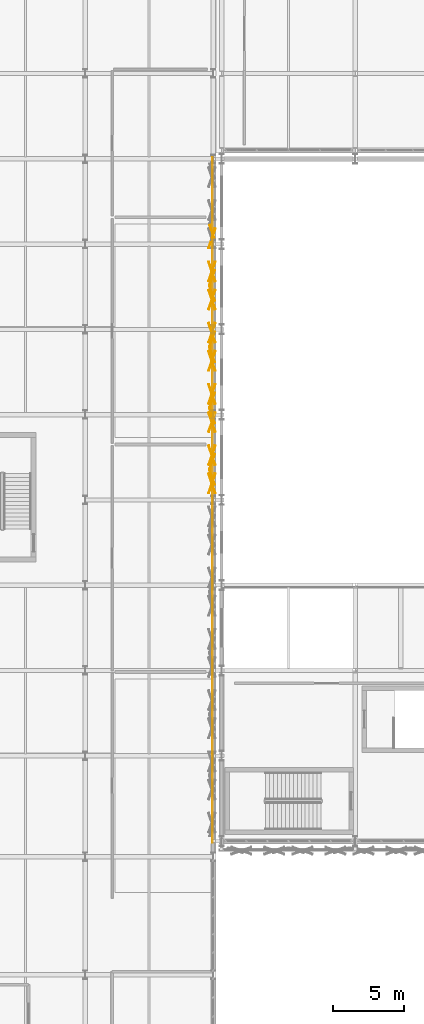
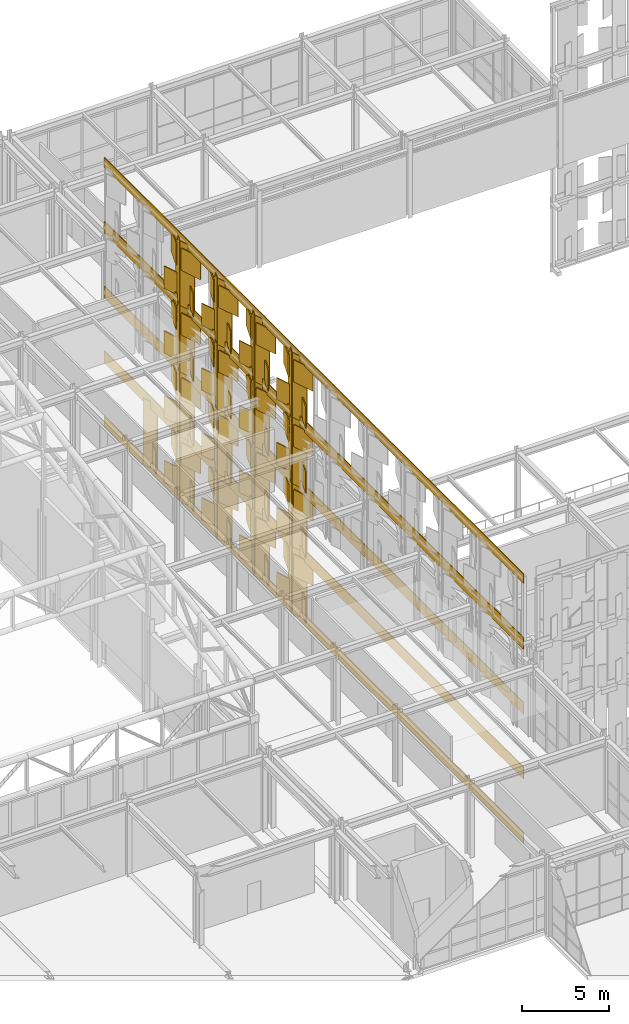
# One storey, part 236 of 239: 103 coverings.
"""IFC4 building model written with IfcOpenShell, lengths in metres."""

import ifcopenshell
import ifcopenshell.guid

model = None  # the IFC model being written
_history = None  # IfcOwnerHistory: only IFC2X3 demands one
_inside = {}  # id of a spatial element -> (the spatial element, [elements in it])
_under = {}  # id of a project, library or spatial element -> (it, [spatial elements below it])
_declared = {}  # id of a project -> (the project, [libraries it declares])
_typed = {}  # id of a type object -> (the type object, [elements of that type])
_made_of = {}  # id of a material, layer set ... -> (it, [elements and type objects made of it])


def new_model(schema):
    """Start an empty IFC model of exactly this schema.

    Asked for "IFC4X3", IfcOpenShell would pick the latest addendum, in which some entities
    have other attributes; the version numbers below select the first issue.
    IFC2X3 requires an IfcOwnerHistory on every rooted entity: one is made here for all.
    """
    global model, _history
    if schema == "IFC4X3":
        model = ifcopenshell.file(schema_version=(4, 3, 0, 0))
    else:
        model = ifcopenshell.file(schema=schema)
    _inside.clear()
    _under.clear()
    _declared.clear()
    _typed.clear()
    _made_of.clear()
    _history = None
    if model.schema == "IFC2X3":
        org = make("IfcOrganization", Name="unknown")
        user = make(
            "IfcPersonAndOrganization",
            ThePerson=make("IfcPerson", FamilyName="unknown"),
            TheOrganization=org,
        )
        app = make(
            "IfcApplication",
            ApplicationDeveloper=org,
            Version="unknown",
            ApplicationFullName="unknown",
            ApplicationIdentifier="unknown",
        )
        _history = make(
            "IfcOwnerHistory",
            OwningUser=user,
            OwningApplication=app,
            ChangeAction="ADDED",
            CreationDate=0,
        )
    return model


def make(cls, **values):
    """One entity of the class cls with the attributes given. An attribute that is None is left unset."""
    return model.create_entity(
        cls, **{name: value for name, value in values.items() if value is not None}
    )


def rooted(cls, **values):
    """An entity with a GlobalId (a new one), such as an element, a storey or a relation."""
    return make(cls, GlobalId=ifcopenshell.guid.new(), OwnerHistory=_history, **values)


def si_unit(unit_type, name, prefix=None):
    """IfcSIUnit, for example si_unit("LENGTHUNIT", "METRE", prefix="MILLI")."""
    return make("IfcSIUnit", UnitType=unit_type, Prefix=prefix, Name=name)


def assignment(units):
    """IfcUnitAssignment: the units of a project."""
    return None if units is None else make("IfcUnitAssignment", Units=units)


def point(xyz):
    """IfcCartesianPoint."""
    return None if xyz is None else make("IfcCartesianPoint", Coordinates=xyz)


def direction(xyz):
    """IfcDirection."""
    return None if xyz is None else make("IfcDirection", DirectionRatios=xyz)


def frame(location, z_axis=None, x_axis=None):
    """IfcAxis2Placement3D, a coordinate frame: its origin and axes. An axis left out is left unset."""
    return make(
        "IfcAxis2Placement3D",
        Location=point(location),
        Axis=direction(z_axis),
        RefDirection=direction(x_axis),
    )


def frame_2d(location, x_axis=None):
    """IfcAxis2Placement2D, a coordinate frame in the plane: its origin and x axis."""
    return make(
        "IfcAxis2Placement2D", Location=point(location), RefDirection=direction(x_axis)
    )


def origin():
    """The frame at (0, 0, 0) with its axes left unset."""
    return frame((0.0, 0.0, 0.0))


def origin_2d():
    """The frame at (0, 0) in the plane with its x axis left unset."""
    return frame_2d((0.0, 0.0))


def place(relative_to, where):
    """IfcLocalPlacement: puts the frame where relative to a parent placement (None: the world)."""
    return make(
        "IfcLocalPlacement", PlacementRelTo=relative_to, RelativePlacement=where
    )


def context(
    kind, dimensions, precision=None, world=None, true_north=None, identifier=None
):
    """IfcGeometricRepresentationContext, for example the 3D "Model" context."""
    return make(
        "IfcGeometricRepresentationContext",
        ContextIdentifier=identifier,
        ContextType=kind,
        CoordinateSpaceDimension=dimensions,
        Precision=precision,
        WorldCoordinateSystem=world,
        TrueNorth=true_north,
    )


def subcontext(parent, identifier, kind, view, scale=None):
    """IfcGeometricRepresentationSubContext, for example "Body" below "Model"."""
    return make(
        "IfcGeometricRepresentationSubContext",
        ContextIdentifier=identifier,
        ContextType=kind,
        ParentContext=parent,
        TargetScale=scale,
        TargetView=view,
    )


def project(units=None, contexts=None):
    """IfcProject with its units and contexts."""
    return rooted(
        "IfcProject",
        Name="project",
        RepresentationContexts=contexts,
        UnitsInContext=assignment(units),
    )


def spatial(cls, under=None, at=None, **own):
    """A site, building, storey or space (cls), placed at a placement, below another one or the project."""
    s = rooted(cls, ObjectPlacement=at, **own)
    if under is not None:
        _under.setdefault(under.id(), (under, []))[1].append(s)
    return s


def profile(cls, at=None, kind="AREA", **sizes):
    """A parametric profile (cls). Its sizes go by their IFC names, for example OverallWidth=200.0."""
    return make(cls, ProfileType=kind, Position=at, **sizes)


def rectangle(**sizes):
    """IfcRectangleProfileDef."""
    return profile("IfcRectangleProfileDef", **sizes)


def extrude(swept, where, along, depth):
    """IfcExtrudedAreaSolid: the profile swept, set in the frame where, extruded along a direction by depth."""
    return make(
        "IfcExtrudedAreaSolid",
        SweptArea=swept,
        Position=where,
        ExtrudedDirection=direction(along),
        Depth=depth,
    )


def shape(context_of_items, identifier, shape_type, items):
    """IfcShapeRepresentation: the items that make up one representation, for example the "Body"."""
    return make(
        "IfcShapeRepresentation",
        ContextOfItems=context_of_items,
        RepresentationIdentifier=identifier,
        RepresentationType=shape_type,
        Items=items,
    )


def material(Name=None, Category=None):
    """IfcMaterial."""
    return make("IfcMaterial", Name=Name, Category=Category)


def layer(
    of_material, thickness, ventilated=None, Name=None, Category=None, Priority=None
):
    """IfcMaterialLayer: one layer of a wall or slab, of a material (None: an air gap)."""
    return make(
        "IfcMaterialLayer",
        Material=of_material,
        LayerThickness=thickness,
        IsVentilated=ventilated,
        Name=Name,
        Category=Category,
        Priority=Priority,
    )


def layer_set(layers, Name=None):
    """IfcMaterialLayerSet."""
    return make("IfcMaterialLayerSet", MaterialLayers=layers, LayerSetName=Name)


def made_of(thing, what):
    """Note that an element or type object is made of a material, layer set ...; save() writes the relation."""
    if what is not None:
        _made_of.setdefault(what.id(), (what, []))[1].append(thing)
    return thing


def type_object(cls, material=None, **own):
    """A type object (cls), such as IfcWallType, which elements share."""
    return made_of(rooted(cls, **own), material)


def element(
    cls,
    number,
    at=None,
    inside=None,
    cuts=None,
    type_object=None,
    material=None,
    context=None,
    identifier="Body",
    shape_type=None,
    held_by="IfcProductDefinitionShape",
    body=None,
    shapes=None,
    **own,
):
    """One element of the class cls, such as IfcWall. Its Tag is "e" and its number.

    at: its placement. inside: the storey or other place that contains it. cuts: it is an
    opening in that element (IfcRelVoidsElement). A single representation is given by context,
    identifier, shape_type and body (its items); several are given by shapes. held_by: the class
    of the entity that holds the representations. save() writes the other relations.
    """
    e = rooted(cls, Tag="e%d" % number, ObjectPlacement=at, **own)
    if body is not None:
        shapes = [shape(context, identifier, shape_type, body)]
    if shapes is not None:
        e.Representation = make(held_by, Representations=shapes)
    if inside is not None:
        _inside.setdefault(inside.id(), (inside, []))[1].append(e)
    if cuts is not None:
        rooted(
            "IfcRelVoidsElement", RelatingBuildingElement=cuts, RelatedOpeningElement=e
        )
    if type_object is not None:
        _typed.setdefault(type_object.id(), (type_object, []))[1].append(e)
    return made_of(e, material)


def aggregate(whole, parts):
    """IfcRelAggregates: a whole, such as a stair, and the parts it consists of."""
    return rooted("IfcRelAggregates", RelatingObject=whole, RelatedObjects=parts)


def save(model, path):
    """Write the relations noted so far, then the file.

    IfcRelAggregates (storeys below a building ...), IfcRelContainedInSpatialStructure (elements
    in a storey), IfcRelDefinesByType, IfcRelAssociatesMaterial and IfcRelDeclares: one each for
    every whole, place, type object, material and project.
    """
    for whole, parts in _under.values():
        aggregate(whole, parts)
    for where, things in _inside.values():
        rooted(
            "IfcRelContainedInSpatialStructure",
            RelatedElements=things,
            RelatingStructure=where,
        )
    for kind, things in _typed.values():
        rooted("IfcRelDefinesByType", RelatedObjects=things, RelatingType=kind)
    for what, things in _made_of.values():
        rooted("IfcRelAssociatesMaterial", RelatedObjects=things, RelatingMaterial=what)
    for by, libraries in _declared.values():
        rooted("IfcRelDeclares", RelatingContext=by, RelatedDefinitions=libraries)
    model.write(path)


model = new_model("IFC4")

# Units and contexts
model_context = context("Model", 3, precision=1e-05, world=origin(), true_north=direction((0.0, 1.0)))
body_context = subcontext(model_context, "Body", "Model", "MODEL_VIEW")
ifc_project = project(units=[si_unit("LENGTHUNIT", "METRE"), si_unit("AREAUNIT", "SQUARE_METRE"), si_unit("VOLUMEUNIT", "CUBIC_METRE"), si_unit("PLANEANGLEUNIT", "RADIAN"), si_unit("MASSUNIT", "GRAM", prefix="KILO")], contexts=[model_context])

# Site, building, storey
site_placement = place(None, origin())
site = spatial("IfcSite", under=ifc_project, at=site_placement, CompositionType="ELEMENT")
building_placement = place(site_placement, origin())
building = spatial("IfcBuilding", under=site, at=building_placement, Name="Kaldris Quays Convention Centre", CompositionType="ELEMENT")
storey_placement = place(building_placement, frame((0.0, 0.0, 11.39990234375)))
storey = spatial("IfcBuildingStorey", under=building, at=storey_placement, Name="L02", CompositionType="ELEMENT", Elevation=11.39990234375)

# Coverings
ifc_material = material(Name="Alabaster white star-pierced anodized aluminium panel", Category="aluminium")
ifc_layer = layer(ifc_material, 0.044921875)
ifc_layer_set = layer_set([ifc_layer], Name="Alabaster white star-pierced anodized aluminium panel")
covering_type = type_object("IfcCoveringType", Name="STAR PIERCED WHITE FOLDED SCREEN CL01", PredefinedType="CLADDING", material=ifc_layer_set)
covering_1_placement = place(storey_placement, frame((163.949951171875, 80.0, -7.8896484375), z_axis=(0.0, 0.0, 1.0), x_axis=(0.0, 1.0, 0.0)))
element("IfcCovering", 1, at=covering_1_placement, inside=storey, type_object=covering_type, Name="V2W White Screen Folded Band 2136", PredefinedType="CLADDING", context=body_context, shape_type="SweptSolid", body=[
    extrude(rectangle(XDim=48.239990234375, YDim=0.054931640625, at=origin_2d()), origin(), (0.0, 0.0, 1.0), 0.679931640625),
])
for number, where, z_axis, x_axis, name in (
    (2, (163.949951171875, 80.0, -3.419921875), (0.0, 0.0, 1.0), (0.0, 1.0, 0.0), "V2W White Screen Folded Band 2137"),
    (3, (163.949951171875, 80.0, 1.1298828125), (0.0, 0.0, 1.0), (0.0, 1.0, 0.0), "V2W White Screen Folded Band 2138"),
    (4, (163.949951171875, 80.0, 5.68017578125), (0.0, 0.0, 1.0), (0.0, 1.0, 0.0), "V2W White Screen Folded Band 2139"),
):
    element("IfcCovering", number, at=place(storey_placement, frame(where, z_axis=z_axis, x_axis=x_axis)), inside=storey, type_object=covering_type, Name=name, PredefinedType="CLADDING", context=body_context, shape_type="SweptSolid", body=[
        extrude(rectangle(XDim=48.239990234375, YDim=0.054931640625, at=origin_2d()), origin(), (0.0, 0.0, 1.0), 0.840087890625),
    ])
covering_2_placement = place(storey_placement, frame((163.949951171875, 80.0, 10.31005859375), z_axis=(0.0, 0.0, 1.0), x_axis=(0.0, 1.0, 0.0)))
element("IfcCovering", 5, at=covering_2_placement, inside=storey, type_object=covering_type, Name="V2W White Screen Folded Band 2140", PredefinedType="CLADDING", context=body_context, shape_type="SweptSolid", body=[
    extrude(rectangle(XDim=48.239990234375, YDim=0.054931640625, at=origin_2d()), origin(), (0.0, 0.0, 1.0), 0.679931640625),
])
covering_3_placement = place(storey_placement, frame((163.93994140625, 81.594482421875, -7.60986328125), z_axis=(0.0, 0.0, 1.0), x_axis=(-0.325568154457, 0.945518575599, 0.0)))
element("IfcCovering", 6, at=covering_3_placement, inside=storey, type_object=covering_type, Name="V2W Folded White Screen Stile 2262", PredefinedType="CLADDING", context=body_context, shape_type="SweptSolid", body=[
    extrude(rectangle(XDim=1.093994140625, YDim=0.054931640625, at=origin_2d()), origin(), (0.0, 0.0, 1.0), 4.669921875),
])
for number, where, z_axis, x_axis, name in (
    (7, (163.919921875, 81.16357421875, -7.27685546875), (0.0, 0.0, 1.0), (0.325568154457, 0.945518575599, 0.0), "V2W Carved Star Corner Facet 2265"),
    (8, (163.919921875, 81.16357421875, -4.81982421875), (0.0, 0.0, 1.0), (-0.325568154457, 0.945518575599, 0.0), "V2W Carved Star Corner Facet 2266"),
):
    element("IfcCovering", number, at=place(storey_placement, frame(where, z_axis=z_axis, x_axis=x_axis)), inside=storey, type_object=covering_type, Name=name, PredefinedType="CLADDING", context=body_context, shape_type="SweptSolid", body=[
        extrude(rectangle(XDim=1.465087890625, YDim=0.06494140625, at=origin_2d()), origin(), (0.0, 0.0, 1.0), 1.547119140625),
    ])
covering_4_placement = place(storey_placement, frame((163.93994140625, 81.594482421875, -3.059814453125), z_axis=(0.0, 0.0, 1.0), x_axis=(-0.325568154457, 0.945518575599, 0.0)))
element("IfcCovering", 9, at=covering_4_placement, inside=storey, type_object=covering_type, Name="V2W Folded White Screen Stile 2268", PredefinedType="CLADDING", context=body_context, shape_type="SweptSolid", body=[
    extrude(rectangle(XDim=1.093994140625, YDim=0.054931640625, at=origin_2d()), origin(), (0.0, 0.0, 1.0), 4.669921875),
])
for number, where, z_axis, x_axis, name in (
    (10, (163.919921875, 81.16357421875, -2.72705078125), (0.0, 0.0, 1.0), (0.325568154457, 0.945518575599, 0.0), "V2W Carved Star Corner Facet 2271"),
    (11, (163.919921875, 81.16357421875, -0.27001953125), (0.0, 0.0, 1.0), (-0.325568154457, 0.945518575599, 0.0), "V2W Carved Star Corner Facet 2272"),
):
    element("IfcCovering", number, at=place(storey_placement, frame(where, z_axis=z_axis, x_axis=x_axis)), inside=storey, type_object=covering_type, Name=name, PredefinedType="CLADDING", context=body_context, shape_type="SweptSolid", body=[
        extrude(rectangle(XDim=1.465087890625, YDim=0.06494140625, at=origin_2d()), origin(), (0.0, 0.0, 1.0), 1.547119140625),
    ])
covering_5_placement = place(storey_placement, frame((163.93994140625, 81.594482421875, 1.490234375), z_axis=(0.0, 0.0, 1.0), x_axis=(-0.325568154457, 0.945518575599, 0.0)))
element("IfcCovering", 12, at=covering_5_placement, inside=storey, type_object=covering_type, Name="V2W Folded White Screen Stile 2274", PredefinedType="CLADDING", context=body_context, shape_type="SweptSolid", body=[
    extrude(rectangle(XDim=1.093994140625, YDim=0.054931640625, at=origin_2d()), origin(), (0.0, 0.0, 1.0), 4.669921875),
])
for number, where, z_axis, x_axis, name in (
    (13, (163.919921875, 81.16357421875, 1.8232421875), (0.0, 0.0, 1.0), (0.325568154457, 0.945518575599, 0.0), "V2W Carved Star Corner Facet 2277"),
    (14, (163.919921875, 81.16357421875, 4.2802734375), (0.0, 0.0, 1.0), (-0.325568154457, 0.945518575599, 0.0), "V2W Carved Star Corner Facet 2278"),
):
    element("IfcCovering", number, at=place(storey_placement, frame(where, z_axis=z_axis, x_axis=x_axis)), inside=storey, type_object=covering_type, Name=name, PredefinedType="CLADDING", context=body_context, shape_type="SweptSolid", body=[
        extrude(rectangle(XDim=1.465087890625, YDim=0.06494140625, at=origin_2d()), origin(), (0.0, 0.0, 1.0), 1.547119140625),
    ])
covering_6_placement = place(storey_placement, frame((163.93994140625, 81.594482421875, 6.0400390625), z_axis=(0.0, 0.0, 1.0), x_axis=(-0.325568154457, 0.945518575599, 0.0)))
element("IfcCovering", 15, at=covering_6_placement, inside=storey, type_object=covering_type, Name="V2W Folded White Screen Stile 2280", PredefinedType="CLADDING", context=body_context, shape_type="SweptSolid", body=[
    extrude(rectangle(XDim=1.093994140625, YDim=0.054931640625, at=origin_2d()), origin(), (0.0, 0.0, 1.0), 4.669921875),
])
for number, where, z_axis, x_axis, name in (
    (16, (163.919921875, 81.16357421875, 6.373046875), (0.0, 0.0, 1.0), (0.325568154457, 0.945518575599, 0.0), "V2W Carved Star Corner Facet 2283"),
    (17, (163.919921875, 81.16357421875, 8.830078125), (0.0, 0.0, 1.0), (-0.325568154457, 0.945518575599, 0.0), "V2W Carved Star Corner Facet 2284"),
):
    element("IfcCovering", number, at=place(storey_placement, frame(where, z_axis=z_axis, x_axis=x_axis)), inside=storey, type_object=covering_type, Name=name, PredefinedType="CLADDING", context=body_context, shape_type="SweptSolid", body=[
        extrude(rectangle(XDim=1.465087890625, YDim=0.06494140625, at=origin_2d()), origin(), (0.0, 0.0, 1.0), 1.547119140625),
    ])
for number, where, z_axis, x_axis, name in (
    (18, (163.93994140625, 82.714599609375, -7.60986328125), (0.0, 0.0, 1.0), (0.325568154457, 0.945518575599, 0.0), "V2W Folded White Screen Stile 2285"),
    (19, (163.93994140625, 85.903564453125, -7.60986328125), (0.0, 0.0, 1.0), (-0.325568154457, 0.945518575599, 0.0), "V2W Folded White Screen Stile 2286"),
):
    element("IfcCovering", number, at=place(storey_placement, frame(where, z_axis=z_axis, x_axis=x_axis)), inside=storey, type_object=covering_type, Name=name, PredefinedType="CLADDING", context=body_context, shape_type="SweptSolid", body=[
        extrude(rectangle(XDim=1.093994140625, YDim=0.054931640625, at=origin_2d()), origin(), (0.0, 0.0, 1.0), 4.669921875),
    ])
for number, where, z_axis, x_axis, name in (
    (20, (163.919921875, 83.1455078125, -7.27685546875), (0.0, 0.0, 1.0), (-0.325568154457, 0.945518575599, 0.0), "V2W Carved Star Corner Facet 2287"),
    (21, (163.919921875, 83.1455078125, -4.81982421875), (0.0, 0.0, 1.0), (0.325568154457, 0.945518575599, 0.0), "V2W Carved Star Corner Facet 2288"),
    (22, (163.919921875, 85.472412109375, -7.27685546875), (0.0, 0.0, 1.0), (0.325568154457, 0.945518575599, 0.0), "V2W Carved Star Corner Facet 2289"),
    (23, (163.919921875, 85.472412109375, -4.81982421875), (0.0, 0.0, 1.0), (-0.325568154457, 0.945518575599, 0.0), "V2W Carved Star Corner Facet 2290"),
):
    element("IfcCovering", number, at=place(storey_placement, frame(where, z_axis=z_axis, x_axis=x_axis)), inside=storey, type_object=covering_type, Name=name, PredefinedType="CLADDING", context=body_context, shape_type="SweptSolid", body=[
        extrude(rectangle(XDim=1.465087890625, YDim=0.06494140625, at=origin_2d()), origin(), (0.0, 0.0, 1.0), 1.547119140625),
    ])
for number, where, z_axis, x_axis, name in (
    (24, (163.93994140625, 82.714599609375, -3.059814453125), (0.0, 0.0, 1.0), (0.325568154457, 0.945518575599, 0.0), "V2W Folded White Screen Stile 2291"),
    (25, (163.93994140625, 85.903564453125, -3.059814453125), (0.0, 0.0, 1.0), (-0.325568154457, 0.945518575599, 0.0), "V2W Folded White Screen Stile 2292"),
):
    element("IfcCovering", number, at=place(storey_placement, frame(where, z_axis=z_axis, x_axis=x_axis)), inside=storey, type_object=covering_type, Name=name, PredefinedType="CLADDING", context=body_context, shape_type="SweptSolid", body=[
        extrude(rectangle(XDim=1.093994140625, YDim=0.054931640625, at=origin_2d()), origin(), (0.0, 0.0, 1.0), 4.669921875),
    ])
for number, where, z_axis, x_axis, name in (
    (26, (163.919921875, 83.1455078125, -2.72705078125), (0.0, 0.0, 1.0), (-0.325568154457, 0.945518575599, 0.0), "V2W Carved Star Corner Facet 2293"),
    (27, (163.919921875, 83.1455078125, -0.27001953125), (0.0, 0.0, 1.0), (0.325568154457, 0.945518575599, 0.0), "V2W Carved Star Corner Facet 2294"),
    (28, (163.919921875, 85.472412109375, -2.72705078125), (0.0, 0.0, 1.0), (0.325568154457, 0.945518575599, 0.0), "V2W Carved Star Corner Facet 2295"),
    (29, (163.919921875, 85.472412109375, -0.27001953125), (0.0, 0.0, 1.0), (-0.325568154457, 0.945518575599, 0.0), "V2W Carved Star Corner Facet 2296"),
):
    element("IfcCovering", number, at=place(storey_placement, frame(where, z_axis=z_axis, x_axis=x_axis)), inside=storey, type_object=covering_type, Name=name, PredefinedType="CLADDING", context=body_context, shape_type="SweptSolid", body=[
        extrude(rectangle(XDim=1.465087890625, YDim=0.06494140625, at=origin_2d()), origin(), (0.0, 0.0, 1.0), 1.547119140625),
    ])
for number, where, z_axis, x_axis, name in (
    (30, (163.93994140625, 82.714599609375, 1.490234375), (0.0, 0.0, 1.0), (0.325568154457, 0.945518575599, 0.0), "V2W Folded White Screen Stile 2297"),
    (31, (163.93994140625, 85.903564453125, 1.490234375), (0.0, 0.0, 1.0), (-0.325568154457, 0.945518575599, 0.0), "V2W Folded White Screen Stile 2298"),
):
    element("IfcCovering", number, at=place(storey_placement, frame(where, z_axis=z_axis, x_axis=x_axis)), inside=storey, type_object=covering_type, Name=name, PredefinedType="CLADDING", context=body_context, shape_type="SweptSolid", body=[
        extrude(rectangle(XDim=1.093994140625, YDim=0.054931640625, at=origin_2d()), origin(), (0.0, 0.0, 1.0), 4.669921875),
    ])
for number, where, z_axis, x_axis, name in (
    (32, (163.919921875, 83.1455078125, 1.8232421875), (0.0, 0.0, 1.0), (-0.325568154457, 0.945518575599, 0.0), "V2W Carved Star Corner Facet 2299"),
    (33, (163.919921875, 83.1455078125, 4.2802734375), (0.0, 0.0, 1.0), (0.325568154457, 0.945518575599, 0.0), "V2W Carved Star Corner Facet 2300"),
    (34, (163.919921875, 85.472412109375, 1.8232421875), (0.0, 0.0, 1.0), (0.325568154457, 0.945518575599, 0.0), "V2W Carved Star Corner Facet 2301"),
    (35, (163.919921875, 85.472412109375, 4.2802734375), (0.0, 0.0, 1.0), (-0.325568154457, 0.945518575599, 0.0), "V2W Carved Star Corner Facet 2302"),
):
    element("IfcCovering", number, at=place(storey_placement, frame(where, z_axis=z_axis, x_axis=x_axis)), inside=storey, type_object=covering_type, Name=name, PredefinedType="CLADDING", context=body_context, shape_type="SweptSolid", body=[
        extrude(rectangle(XDim=1.465087890625, YDim=0.06494140625, at=origin_2d()), origin(), (0.0, 0.0, 1.0), 1.547119140625),
    ])
for number, where, z_axis, x_axis, name in (
    (36, (163.93994140625, 82.714599609375, 6.0400390625), (0.0, 0.0, 1.0), (0.325568154457, 0.945518575599, 0.0), "V2W Folded White Screen Stile 2303"),
    (37, (163.93994140625, 85.903564453125, 6.0400390625), (0.0, 0.0, 1.0), (-0.325568154457, 0.945518575599, 0.0), "V2W Folded White Screen Stile 2304"),
):
    element("IfcCovering", number, at=place(storey_placement, frame(where, z_axis=z_axis, x_axis=x_axis)), inside=storey, type_object=covering_type, Name=name, PredefinedType="CLADDING", context=body_context, shape_type="SweptSolid", body=[
        extrude(rectangle(XDim=1.093994140625, YDim=0.054931640625, at=origin_2d()), origin(), (0.0, 0.0, 1.0), 4.669921875),
    ])
for number, where, z_axis, x_axis, name in (
    (38, (163.919921875, 83.1455078125, 6.373046875), (0.0, 0.0, 1.0), (-0.325568154457, 0.945518575599, 0.0), "V2W Carved Star Corner Facet 2305"),
    (39, (163.919921875, 83.1455078125, 8.830078125), (0.0, 0.0, 1.0), (0.325568154457, 0.945518575599, 0.0), "V2W Carved Star Corner Facet 2306"),
    (40, (163.919921875, 85.472412109375, 6.373046875), (0.0, 0.0, 1.0), (0.325568154457, 0.945518575599, 0.0), "V2W Carved Star Corner Facet 2307"),
    (41, (163.919921875, 85.472412109375, 8.830078125), (0.0, 0.0, 1.0), (-0.325568154457, 0.945518575599, 0.0), "V2W Carved Star Corner Facet 2308"),
):
    element("IfcCovering", number, at=place(storey_placement, frame(where, z_axis=z_axis, x_axis=x_axis)), inside=storey, type_object=covering_type, Name=name, PredefinedType="CLADDING", context=body_context, shape_type="SweptSolid", body=[
        extrude(rectangle(XDim=1.465087890625, YDim=0.06494140625, at=origin_2d()), origin(), (0.0, 0.0, 1.0), 1.547119140625),
    ])
for number, where, z_axis, x_axis, name in (
    (42, (163.93994140625, 87.023681640625, -7.60986328125), (0.0, 0.0, 1.0), (0.325568154457, 0.945518575599, 0.0), "V2W Folded White Screen Stile 2309"),
    (43, (163.93994140625, 90.21240234375, -7.60986328125), (0.0, 0.0, 1.0), (-0.325568154457, 0.945518575599, 0.0), "V2W Folded White Screen Stile 2310"),
):
    element("IfcCovering", number, at=place(storey_placement, frame(where, z_axis=z_axis, x_axis=x_axis)), inside=storey, type_object=covering_type, Name=name, PredefinedType="CLADDING", context=body_context, shape_type="SweptSolid", body=[
        extrude(rectangle(XDim=1.093994140625, YDim=0.054931640625, at=origin_2d()), origin(), (0.0, 0.0, 1.0), 4.669921875),
    ])
for number, where, z_axis, x_axis, name in (
    (44, (163.919921875, 87.45458984375, -7.27685546875), (0.0, 0.0, 1.0), (-0.325568154457, 0.945518575599, 0.0), "V2W Carved Star Corner Facet 2311"),
    (45, (163.919921875, 87.45458984375, -4.81982421875), (0.0, 0.0, 1.0), (0.325568154457, 0.945518575599, 0.0), "V2W Carved Star Corner Facet 2312"),
    (46, (163.919921875, 89.781494140625, -7.27685546875), (0.0, 0.0, 1.0), (0.325568154457, 0.945518575599, 0.0), "V2W Carved Star Corner Facet 2313"),
    (47, (163.919921875, 89.781494140625, -4.81982421875), (0.0, 0.0, 1.0), (-0.325568154457, 0.945518575599, 0.0), "V2W Carved Star Corner Facet 2314"),
):
    element("IfcCovering", number, at=place(storey_placement, frame(where, z_axis=z_axis, x_axis=x_axis)), inside=storey, type_object=covering_type, Name=name, PredefinedType="CLADDING", context=body_context, shape_type="SweptSolid", body=[
        extrude(rectangle(XDim=1.465087890625, YDim=0.06494140625, at=origin_2d()), origin(), (0.0, 0.0, 1.0), 1.547119140625),
    ])
for number, where, z_axis, x_axis, name in (
    (48, (163.93994140625, 87.023681640625, -3.059814453125), (0.0, 0.0, 1.0), (0.325568154457, 0.945518575599, 0.0), "V2W Folded White Screen Stile 2315"),
    (49, (163.93994140625, 90.21240234375, -3.059814453125), (0.0, 0.0, 1.0), (-0.325568154457, 0.945518575599, 0.0), "V2W Folded White Screen Stile 2316"),
):
    element("IfcCovering", number, at=place(storey_placement, frame(where, z_axis=z_axis, x_axis=x_axis)), inside=storey, type_object=covering_type, Name=name, PredefinedType="CLADDING", context=body_context, shape_type="SweptSolid", body=[
        extrude(rectangle(XDim=1.093994140625, YDim=0.054931640625, at=origin_2d()), origin(), (0.0, 0.0, 1.0), 4.669921875),
    ])
for number, where, z_axis, x_axis, name in (
    (50, (163.919921875, 87.45458984375, -2.72705078125), (0.0, 0.0, 1.0), (-0.325568154457, 0.945518575599, 0.0), "V2W Carved Star Corner Facet 2317"),
    (51, (163.919921875, 87.45458984375, -0.27001953125), (0.0, 0.0, 1.0), (0.325568154457, 0.945518575599, 0.0), "V2W Carved Star Corner Facet 2318"),
    (52, (163.919921875, 89.781494140625, -2.72705078125), (0.0, 0.0, 1.0), (0.325568154457, 0.945518575599, 0.0), "V2W Carved Star Corner Facet 2319"),
    (53, (163.919921875, 89.781494140625, -0.27001953125), (0.0, 0.0, 1.0), (-0.325568154457, 0.945518575599, 0.0), "V2W Carved Star Corner Facet 2320"),
):
    element("IfcCovering", number, at=place(storey_placement, frame(where, z_axis=z_axis, x_axis=x_axis)), inside=storey, type_object=covering_type, Name=name, PredefinedType="CLADDING", context=body_context, shape_type="SweptSolid", body=[
        extrude(rectangle(XDim=1.465087890625, YDim=0.06494140625, at=origin_2d()), origin(), (0.0, 0.0, 1.0), 1.547119140625),
    ])
for number, where, z_axis, x_axis, name in (
    (54, (163.93994140625, 87.023681640625, 1.490234375), (0.0, 0.0, 1.0), (0.325568154457, 0.945518575599, 0.0), "V2W Folded White Screen Stile 2321"),
    (55, (163.93994140625, 90.21240234375, 1.490234375), (0.0, 0.0, 1.0), (-0.325568154457, 0.945518575599, 0.0), "V2W Folded White Screen Stile 2322"),
):
    element("IfcCovering", number, at=place(storey_placement, frame(where, z_axis=z_axis, x_axis=x_axis)), inside=storey, type_object=covering_type, Name=name, PredefinedType="CLADDING", context=body_context, shape_type="SweptSolid", body=[
        extrude(rectangle(XDim=1.093994140625, YDim=0.054931640625, at=origin_2d()), origin(), (0.0, 0.0, 1.0), 4.669921875),
    ])
for number, where, z_axis, x_axis, name in (
    (56, (163.919921875, 87.45458984375, 1.8232421875), (0.0, 0.0, 1.0), (-0.325568154457, 0.945518575599, 0.0), "V2W Carved Star Corner Facet 2323"),
    (57, (163.919921875, 87.45458984375, 4.2802734375), (0.0, 0.0, 1.0), (0.325568154457, 0.945518575599, 0.0), "V2W Carved Star Corner Facet 2324"),
    (58, (163.919921875, 89.781494140625, 1.8232421875), (0.0, 0.0, 1.0), (0.325568154457, 0.945518575599, 0.0), "V2W Carved Star Corner Facet 2325"),
    (59, (163.919921875, 89.781494140625, 4.2802734375), (0.0, 0.0, 1.0), (-0.325568154457, 0.945518575599, 0.0), "V2W Carved Star Corner Facet 2326"),
):
    element("IfcCovering", number, at=place(storey_placement, frame(where, z_axis=z_axis, x_axis=x_axis)), inside=storey, type_object=covering_type, Name=name, PredefinedType="CLADDING", context=body_context, shape_type="SweptSolid", body=[
        extrude(rectangle(XDim=1.465087890625, YDim=0.06494140625, at=origin_2d()), origin(), (0.0, 0.0, 1.0), 1.547119140625),
    ])
for number, where, z_axis, x_axis, name in (
    (60, (163.93994140625, 87.023681640625, 6.0400390625), (0.0, 0.0, 1.0), (0.325568154457, 0.945518575599, 0.0), "V2W Folded White Screen Stile 2327"),
    (61, (163.93994140625, 90.21240234375, 6.0400390625), (0.0, 0.0, 1.0), (-0.325568154457, 0.945518575599, 0.0), "V2W Folded White Screen Stile 2328"),
):
    element("IfcCovering", number, at=place(storey_placement, frame(where, z_axis=z_axis, x_axis=x_axis)), inside=storey, type_object=covering_type, Name=name, PredefinedType="CLADDING", context=body_context, shape_type="SweptSolid", body=[
        extrude(rectangle(XDim=1.093994140625, YDim=0.054931640625, at=origin_2d()), origin(), (0.0, 0.0, 1.0), 4.669921875),
    ])
for number, where, z_axis, x_axis, name in (
    (62, (163.919921875, 87.45458984375, 6.373046875), (0.0, 0.0, 1.0), (-0.325568154457, 0.945518575599, 0.0), "V2W Carved Star Corner Facet 2329"),
    (63, (163.919921875, 87.45458984375, 8.830078125), (0.0, 0.0, 1.0), (0.325568154457, 0.945518575599, 0.0), "V2W Carved Star Corner Facet 2330"),
    (64, (163.919921875, 89.781494140625, 6.373046875), (0.0, 0.0, 1.0), (0.325568154457, 0.945518575599, 0.0), "V2W Carved Star Corner Facet 2331"),
    (65, (163.919921875, 89.781494140625, 8.830078125), (0.0, 0.0, 1.0), (-0.325568154457, 0.945518575599, 0.0), "V2W Carved Star Corner Facet 2332"),
):
    element("IfcCovering", number, at=place(storey_placement, frame(where, z_axis=z_axis, x_axis=x_axis)), inside=storey, type_object=covering_type, Name=name, PredefinedType="CLADDING", context=body_context, shape_type="SweptSolid", body=[
        extrude(rectangle(XDim=1.465087890625, YDim=0.06494140625, at=origin_2d()), origin(), (0.0, 0.0, 1.0), 1.547119140625),
    ])
for number, where, z_axis, x_axis, name in (
    (66, (163.93994140625, 91.3330078125, -7.60986328125), (0.0, 0.0, 1.0), (0.325568154457, 0.945518575599, 0.0), "V2W Folded White Screen Stile 2333"),
    (67, (163.93994140625, 94.521484375, -7.60986328125), (0.0, 0.0, 1.0), (-0.325568154457, 0.945518575599, 0.0), "V2W Folded White Screen Stile 2334"),
):
    element("IfcCovering", number, at=place(storey_placement, frame(where, z_axis=z_axis, x_axis=x_axis)), inside=storey, type_object=covering_type, Name=name, PredefinedType="CLADDING", context=body_context, shape_type="SweptSolid", body=[
        extrude(rectangle(XDim=1.093994140625, YDim=0.054931640625, at=origin_2d()), origin(), (0.0, 0.0, 1.0), 4.669921875),
    ])
for number, where, z_axis, x_axis, name in (
    (68, (163.919921875, 91.763916015625, -7.27685546875), (0.0, 0.0, 1.0), (-0.325568154457, 0.945518575599, 0.0), "V2W Carved Star Corner Facet 2335"),
    (69, (163.919921875, 91.763916015625, -4.81982421875), (0.0, 0.0, 1.0), (0.325568154457, 0.945518575599, 0.0), "V2W Carved Star Corner Facet 2336"),
    (70, (163.919921875, 94.0908203125, -7.27685546875), (0.0, 0.0, 1.0), (0.325568154457, 0.945518575599, 0.0), "V2W Carved Star Corner Facet 2337"),
    (71, (163.919921875, 94.0908203125, -4.81982421875), (0.0, 0.0, 1.0), (-0.325568154457, 0.945518575599, 0.0), "V2W Carved Star Corner Facet 2338"),
):
    element("IfcCovering", number, at=place(storey_placement, frame(where, z_axis=z_axis, x_axis=x_axis)), inside=storey, type_object=covering_type, Name=name, PredefinedType="CLADDING", context=body_context, shape_type="SweptSolid", body=[
        extrude(rectangle(XDim=1.465087890625, YDim=0.06494140625, at=origin_2d()), origin(), (0.0, 0.0, 1.0), 1.547119140625),
    ])
for number, where, z_axis, x_axis, name in (
    (72, (163.93994140625, 91.3330078125, -3.059814453125), (0.0, 0.0, 1.0), (0.325568154457, 0.945518575599, 0.0), "V2W Folded White Screen Stile 2339"),
    (73, (163.93994140625, 94.521484375, -3.059814453125), (0.0, 0.0, 1.0), (-0.325568154457, 0.945518575599, 0.0), "V2W Folded White Screen Stile 2340"),
):
    element("IfcCovering", number, at=place(storey_placement, frame(where, z_axis=z_axis, x_axis=x_axis)), inside=storey, type_object=covering_type, Name=name, PredefinedType="CLADDING", context=body_context, shape_type="SweptSolid", body=[
        extrude(rectangle(XDim=1.093994140625, YDim=0.054931640625, at=origin_2d()), origin(), (0.0, 0.0, 1.0), 4.669921875),
    ])
for number, where, z_axis, x_axis, name in (
    (74, (163.919921875, 91.763916015625, -2.72705078125), (0.0, 0.0, 1.0), (-0.325568154457, 0.945518575599, 0.0), "V2W Carved Star Corner Facet 2341"),
    (75, (163.919921875, 91.763916015625, -0.27001953125), (0.0, 0.0, 1.0), (0.325568154457, 0.945518575599, 0.0), "V2W Carved Star Corner Facet 2342"),
    (76, (163.919921875, 94.0908203125, -2.72705078125), (0.0, 0.0, 1.0), (0.325568154457, 0.945518575599, 0.0), "V2W Carved Star Corner Facet 2343"),
    (77, (163.919921875, 94.0908203125, -0.27001953125), (0.0, 0.0, 1.0), (-0.325568154457, 0.945518575599, 0.0), "V2W Carved Star Corner Facet 2344"),
):
    element("IfcCovering", number, at=place(storey_placement, frame(where, z_axis=z_axis, x_axis=x_axis)), inside=storey, type_object=covering_type, Name=name, PredefinedType="CLADDING", context=body_context, shape_type="SweptSolid", body=[
        extrude(rectangle(XDim=1.465087890625, YDim=0.06494140625, at=origin_2d()), origin(), (0.0, 0.0, 1.0), 1.547119140625),
    ])
for number, where, z_axis, x_axis, name in (
    (78, (163.93994140625, 91.3330078125, 1.490234375), (0.0, 0.0, 1.0), (0.325568154457, 0.945518575599, 0.0), "V2W Folded White Screen Stile 2345"),
    (79, (163.93994140625, 94.521484375, 1.490234375), (0.0, 0.0, 1.0), (-0.325568154457, 0.945518575599, 0.0), "V2W Folded White Screen Stile 2346"),
):
    element("IfcCovering", number, at=place(storey_placement, frame(where, z_axis=z_axis, x_axis=x_axis)), inside=storey, type_object=covering_type, Name=name, PredefinedType="CLADDING", context=body_context, shape_type="SweptSolid", body=[
        extrude(rectangle(XDim=1.093994140625, YDim=0.054931640625, at=origin_2d()), origin(), (0.0, 0.0, 1.0), 4.669921875),
    ])
for number, where, z_axis, x_axis, name in (
    (80, (163.919921875, 91.763916015625, 1.8232421875), (0.0, 0.0, 1.0), (-0.325568154457, 0.945518575599, 0.0), "V2W Carved Star Corner Facet 2347"),
    (81, (163.919921875, 91.763916015625, 4.2802734375), (0.0, 0.0, 1.0), (0.325568154457, 0.945518575599, 0.0), "V2W Carved Star Corner Facet 2348"),
    (82, (163.919921875, 94.0908203125, 1.8232421875), (0.0, 0.0, 1.0), (0.325568154457, 0.945518575599, 0.0), "V2W Carved Star Corner Facet 2349"),
    (83, (163.919921875, 94.0908203125, 4.2802734375), (0.0, 0.0, 1.0), (-0.325568154457, 0.945518575599, 0.0), "V2W Carved Star Corner Facet 2350"),
):
    element("IfcCovering", number, at=place(storey_placement, frame(where, z_axis=z_axis, x_axis=x_axis)), inside=storey, type_object=covering_type, Name=name, PredefinedType="CLADDING", context=body_context, shape_type="SweptSolid", body=[
        extrude(rectangle(XDim=1.465087890625, YDim=0.06494140625, at=origin_2d()), origin(), (0.0, 0.0, 1.0), 1.547119140625),
    ])
for number, where, z_axis, x_axis, name in (
    (84, (163.93994140625, 91.3330078125, 6.0400390625), (0.0, 0.0, 1.0), (0.325568154457, 0.945518575599, 0.0), "V2W Folded White Screen Stile 2351"),
    (85, (163.93994140625, 94.521484375, 6.0400390625), (0.0, 0.0, 1.0), (-0.325568154457, 0.945518575599, 0.0), "V2W Folded White Screen Stile 2352"),
):
    element("IfcCovering", number, at=place(storey_placement, frame(where, z_axis=z_axis, x_axis=x_axis)), inside=storey, type_object=covering_type, Name=name, PredefinedType="CLADDING", context=body_context, shape_type="SweptSolid", body=[
        extrude(rectangle(XDim=1.093994140625, YDim=0.054931640625, at=origin_2d()), origin(), (0.0, 0.0, 1.0), 4.669921875),
    ])
for number, where, z_axis, x_axis, name in (
    (86, (163.919921875, 91.763916015625, 6.373046875), (0.0, 0.0, 1.0), (-0.325568154457, 0.945518575599, 0.0), "V2W Carved Star Corner Facet 2353"),
    (87, (163.919921875, 91.763916015625, 8.830078125), (0.0, 0.0, 1.0), (0.325568154457, 0.945518575599, 0.0), "V2W Carved Star Corner Facet 2354"),
    (88, (163.919921875, 94.0908203125, 6.373046875), (0.0, 0.0, 1.0), (0.325568154457, 0.945518575599, 0.0), "V2W Carved Star Corner Facet 2355"),
    (89, (163.919921875, 94.0908203125, 8.830078125), (0.0, 0.0, 1.0), (-0.325568154457, 0.945518575599, 0.0), "V2W Carved Star Corner Facet 2356"),
):
    element("IfcCovering", number, at=place(storey_placement, frame(where, z_axis=z_axis, x_axis=x_axis)), inside=storey, type_object=covering_type, Name=name, PredefinedType="CLADDING", context=body_context, shape_type="SweptSolid", body=[
        extrude(rectangle(XDim=1.465087890625, YDim=0.06494140625, at=origin_2d()), origin(), (0.0, 0.0, 1.0), 1.547119140625),
    ])
for number, where, z_axis, x_axis, name in (
    (90, (163.93994140625, 95.64208984375, -7.60986328125), (0.0, 0.0, 1.0), (0.325568154457, 0.945518575599, 0.0), "V2W Folded White Screen Stile 2357"),
    (91, (163.93994140625, 98.830810546875, -7.60986328125), (0.0, 0.0, 1.0), (-0.325568154457, 0.945518575599, 0.0), "V2W Folded White Screen Stile 2358"),
):
    element("IfcCovering", number, at=place(storey_placement, frame(where, z_axis=z_axis, x_axis=x_axis)), inside=storey, type_object=covering_type, Name=name, PredefinedType="CLADDING", context=body_context, shape_type="SweptSolid", body=[
        extrude(rectangle(XDim=1.093994140625, YDim=0.054931640625, at=origin_2d()), origin(), (0.0, 0.0, 1.0), 4.669921875),
    ])
for number, where, z_axis, x_axis, name in (
    (92, (163.919921875, 96.072998046875, -7.27685546875), (0.0, 0.0, 1.0), (-0.325568154457, 0.945518575599, 0.0), "V2W Carved Star Corner Facet 2359"),
    (93, (163.919921875, 96.072998046875, -4.81982421875), (0.0, 0.0, 1.0), (0.325568154457, 0.945518575599, 0.0), "V2W Carved Star Corner Facet 2360"),
    (94, (163.919921875, 98.39990234375, -7.27685546875), (0.0, 0.0, 1.0), (0.325568154457, 0.945518575599, 0.0), "V2W Carved Star Corner Facet 2361"),
):
    element("IfcCovering", number, at=place(storey_placement, frame(where, z_axis=z_axis, x_axis=x_axis)), inside=storey, type_object=covering_type, Name=name, PredefinedType="CLADDING", context=body_context, shape_type="SweptSolid", body=[
        extrude(rectangle(XDim=1.465087890625, YDim=0.06494140625, at=origin_2d()), origin(), (0.0, 0.0, 1.0), 1.547119140625),
    ])
covering_7_placement = place(storey_placement, frame((163.93994140625, 95.64208984375, -3.059814453125), z_axis=(0.0, 0.0, 1.0), x_axis=(0.325568154457, 0.945518575599, 0.0)))
element("IfcCovering", 95, at=covering_7_placement, inside=storey, type_object=covering_type, Name="V2W Folded White Screen Stile 2363", PredefinedType="CLADDING", context=body_context, shape_type="SweptSolid", body=[
    extrude(rectangle(XDim=1.093994140625, YDim=0.054931640625, at=origin_2d()), origin(), (0.0, 0.0, 1.0), 4.669921875),
])
for number, where, z_axis, x_axis, name in (
    (96, (163.919921875, 96.072998046875, -2.72705078125), (0.0, 0.0, 1.0), (-0.325568154457, 0.945518575599, 0.0), "V2W Carved Star Corner Facet 2365"),
    (97, (163.919921875, 96.072998046875, -0.27001953125), (0.0, 0.0, 1.0), (0.325568154457, 0.945518575599, 0.0), "V2W Carved Star Corner Facet 2366"),
):
    element("IfcCovering", number, at=place(storey_placement, frame(where, z_axis=z_axis, x_axis=x_axis)), inside=storey, type_object=covering_type, Name=name, PredefinedType="CLADDING", context=body_context, shape_type="SweptSolid", body=[
        extrude(rectangle(XDim=1.465087890625, YDim=0.06494140625, at=origin_2d()), origin(), (0.0, 0.0, 1.0), 1.547119140625),
    ])
covering_8_placement = place(storey_placement, frame((163.93994140625, 95.64208984375, 1.490234375), z_axis=(0.0, 0.0, 1.0), x_axis=(0.325568154457, 0.945518575599, 0.0)))
element("IfcCovering", 98, at=covering_8_placement, inside=storey, type_object=covering_type, Name="V2W Folded White Screen Stile 2369", PredefinedType="CLADDING", context=body_context, shape_type="SweptSolid", body=[
    extrude(rectangle(XDim=1.093994140625, YDim=0.054931640625, at=origin_2d()), origin(), (0.0, 0.0, 1.0), 4.669921875),
])
for number, where, z_axis, x_axis, name in (
    (99, (163.919921875, 96.072998046875, 1.8232421875), (0.0, 0.0, 1.0), (-0.325568154457, 0.945518575599, 0.0), "V2W Carved Star Corner Facet 2371"),
    (100, (163.919921875, 96.072998046875, 4.2802734375), (0.0, 0.0, 1.0), (0.325568154457, 0.945518575599, 0.0), "V2W Carved Star Corner Facet 2372"),
):
    element("IfcCovering", number, at=place(storey_placement, frame(where, z_axis=z_axis, x_axis=x_axis)), inside=storey, type_object=covering_type, Name=name, PredefinedType="CLADDING", context=body_context, shape_type="SweptSolid", body=[
        extrude(rectangle(XDim=1.465087890625, YDim=0.06494140625, at=origin_2d()), origin(), (0.0, 0.0, 1.0), 1.547119140625),
    ])
covering_9_placement = place(storey_placement, frame((163.93994140625, 95.64208984375, 6.0400390625), z_axis=(0.0, 0.0, 1.0), x_axis=(0.325568154457, 0.945518575599, 0.0)))
element("IfcCovering", 101, at=covering_9_placement, inside=storey, type_object=covering_type, Name="V2W Folded White Screen Stile 2375", PredefinedType="CLADDING", context=body_context, shape_type="SweptSolid", body=[
    extrude(rectangle(XDim=1.093994140625, YDim=0.054931640625, at=origin_2d()), origin(), (0.0, 0.0, 1.0), 4.669921875),
])
for number, where, z_axis, x_axis, name in (
    (102, (163.919921875, 96.072998046875, 6.373046875), (0.0, 0.0, 1.0), (-0.325568154457, 0.945518575599, 0.0), "V2W Carved Star Corner Facet 2377"),
    (103, (163.919921875, 96.072998046875, 8.830078125), (0.0, 0.0, 1.0), (0.325568154457, 0.945518575599, 0.0), "V2W Carved Star Corner Facet 2378"),
):
    element("IfcCovering", number, at=place(storey_placement, frame(where, z_axis=z_axis, x_axis=x_axis)), inside=storey, type_object=covering_type, Name=name, PredefinedType="CLADDING", context=body_context, shape_type="SweptSolid", body=[
        extrude(rectangle(XDim=1.465087890625, YDim=0.06494140625, at=origin_2d()), origin(), (0.0, 0.0, 1.0), 1.547119140625),
    ])

save(model, "model.ifc")
